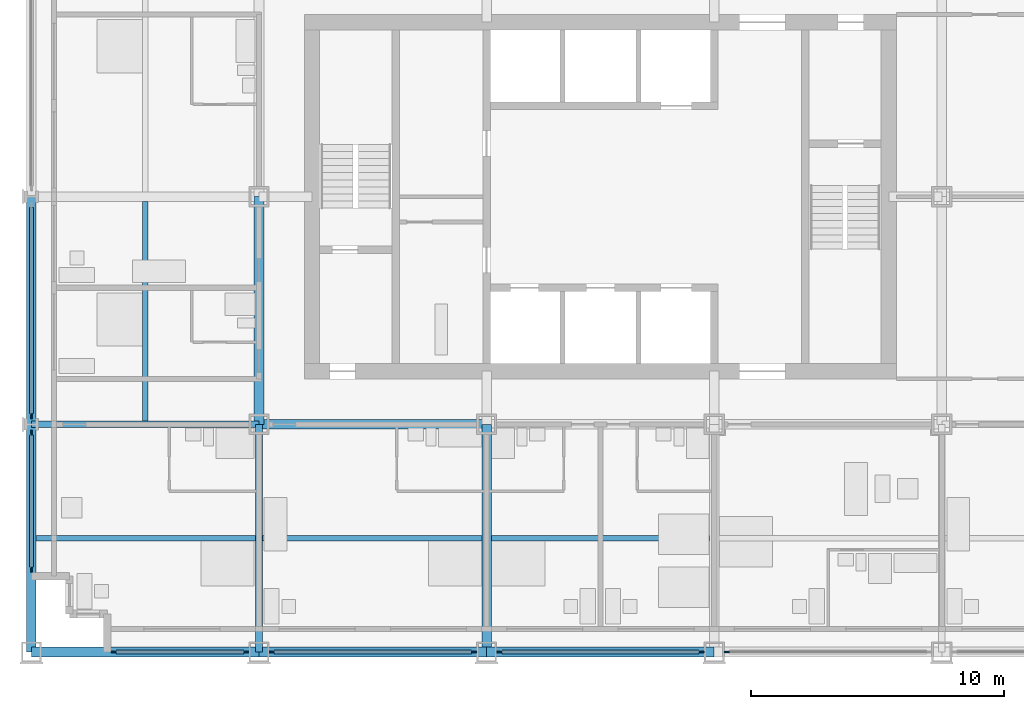
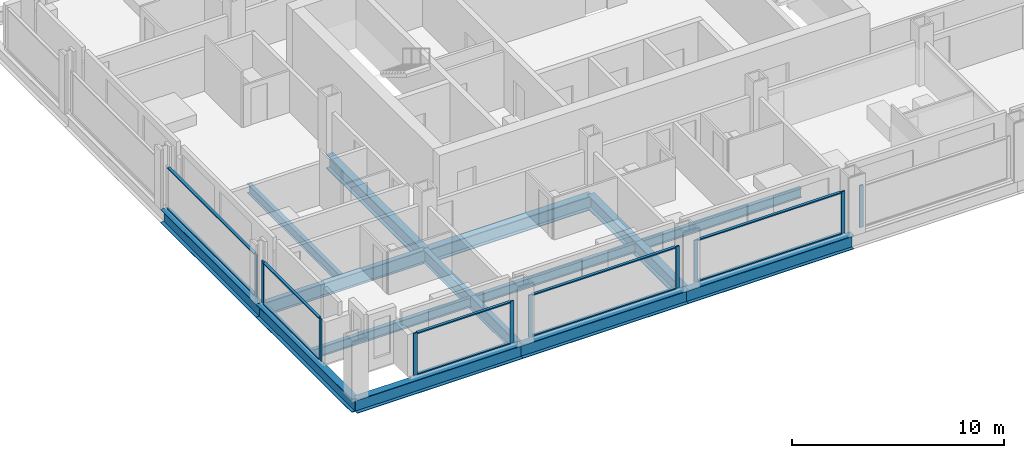
# One storey, part 2 of 18: 20 members, 14 beams, 6 elements without a shape of their own.
"""IFC4 building model written with IfcOpenShell, lengths in metres."""

from ifc_helpers import new_model, si_unit, direction, frame, origin, origin_2d, place, context, subcontext, project, spatial, rectangle, i_section, extrude, material, material_profile, profile_set, type_object, element, aggregate, save


model = new_model("IFC4")

# Units and contexts
model_context = context("Model", 3, precision=1e-05, world=origin(), true_north=direction((0.0, 1.0)))
body_context = subcontext(model_context, "Body", "Model", "MODEL_VIEW")
ifc_project = project(units=[si_unit("LENGTHUNIT", "METRE"), si_unit("AREAUNIT", "SQUARE_METRE"), si_unit("VOLUMEUNIT", "CUBIC_METRE"), si_unit("PLANEANGLEUNIT", "RADIAN"), si_unit("MASSUNIT", "GRAM", prefix="KILO")], contexts=[model_context])

# Site, building, storey
site_placement = place(None, origin())
site = spatial("IfcSite", under=ifc_project, at=site_placement, CompositionType="ELEMENT")
building_placement = place(site_placement, origin())
building = spatial("IfcBuilding", under=site, at=building_placement, Name="Loomwork Tower", CompositionType="ELEMENT")
storey_placement = place(building_placement, frame((0.0, 0.0, 68.800048828125)))
storey = spatial("IfcBuildingStorey", under=building, at=storey_placement, Name="L17", CompositionType="ELEMENT", Elevation=68.800048828125)

# Beams
ifc_material_1 = material(Name="Steel ASTM A992", Category="steel")
ifc_material_profile_1 = material_profile(ifc_material_1, i_section(OverallWidth=0.383544921875, OverallDepth=0.794921875, WebThickness=0.02099609375, FlangeThickness=0.0380859375, at=origin_2d()), Name="W30x235")
ifc_profile_set_1 = profile_set([ifc_material_profile_1], Name="Steel ASTM A992")
beam_type_1 = type_object("IfcBeamType", Name="CORE FLANK GIRDER W30x235", PredefinedType="BEAM", material=ifc_profile_set_1)
for number, where, z_axis, x_axis, name in (
    (1, (9.0, 9.0, -0.59765625), (1.0, 0.0, 0.0), (0.0, 1.0, 0.0), "Core Flank Girder E/3-E/4 L17"),
    (2, (9.0, 9.0, -0.59765625), (0.0, 1.0, 0.0), (-1.0, 0.0, 0.0), "Core Flank Girder E/3-F/3 L17"),
    (3, (18.0, 0.0, -0.59765625), (0.0, 1.0, 0.0), (-1.0, 0.0, 0.0), "Core Flank Girder D/4-E/4 L17"),
):
    element("IfcBeam", number, at=place(storey_placement, frame(where, z_axis=z_axis, x_axis=x_axis)), inside=storey, type_object=beam_type_1, Name=name, PredefinedType="BEAM", context=body_context, shape_type="SweptSolid", body=[
        extrude(i_section(OverallWidth=0.383544921875, OverallDepth=0.794921875, WebThickness=0.02099609375, FlangeThickness=0.0380859375, at=origin_2d()), origin(), (0.0, 0.0, 1.0), 9.0),
    ])
ifc_material_2 = material(Name="Steel ASTM A992", Category="steel")
ifc_material_profile_2 = material_profile(ifc_material_2, i_section(OverallWidth=0.2666015625, OverallDepth=0.761962890625, WebThickness=0.014404296875, FlangeThickness=0.021484375, at=origin_2d()), Name="W30x116")
ifc_profile_set_2 = profile_set([ifc_material_profile_2], Name="Steel ASTM A992")
beam_type_2 = type_object("IfcBeamType", Name="FLOOR GIRDER W30x116", PredefinedType="BEAM", material=ifc_profile_set_2)
for number, where, z_axis, x_axis, name in (
    (4, (0.0, 9.0, -0.5810546875), (1.0, 0.0, 0.0), (0.0, 1.0, 0.0), "Floor Girder E/2-E/3 L17"),
    (5, (9.0, 0.0, -0.5810546875), (0.0, 1.0, 0.0), (-1.0, 0.0, 0.0), "Floor Girder D/3-E/3 L17"),
):
    element("IfcBeam", number, at=place(storey_placement, frame(where, z_axis=z_axis, x_axis=x_axis)), inside=storey, type_object=beam_type_2, Name=name, PredefinedType="BEAM", context=body_context, shape_type="SweptSolid", body=[
        extrude(i_section(OverallWidth=0.2666015625, OverallDepth=0.761962890625, WebThickness=0.014404296875, FlangeThickness=0.021484375, at=origin_2d()), origin(), (0.0, 0.0, 1.0), 9.0),
    ])
ifc_material_3 = material(Name="Steel ASTM A992", Category="steel")
ifc_material_profile_3 = material_profile(ifc_material_3, i_section(OverallWidth=0.2109375, OverallDepth=0.53857421875, WebThickness=0.011474609375, FlangeThickness=0.018798828125, at=origin_2d()), Name="W21x73")
ifc_profile_set_3 = profile_set([ifc_material_profile_3], Name="Steel ASTM A992")
beam_type_3 = type_object("IfcBeamType", Name="FLOOR JOIST W21x73", PredefinedType="JOIST", material=ifc_profile_set_3)
beam_1_placement = place(storey_placement, frame((0.18994140625, 4.5, -0.46923828125), z_axis=(1.0, 0.0, 0.0), x_axis=(0.0, 1.0, 0.0)))
element("IfcBeam", 6, at=beam_1_placement, inside=storey, type_object=beam_type_3, Name="Floor Joist 0.000,4.500-9.000,4.500 L17", PredefinedType="JOIST", context=body_context, shape_type="SweptSolid", body=[
    extrude(i_section(OverallWidth=0.2109375, OverallDepth=0.53857421875, WebThickness=0.011474609375, FlangeThickness=0.018798828125, at=origin_2d()), origin(), (0.0, 0.0, 1.0), 8.677001953125),
])
for number, where, z_axis, x_axis, name in (
    (7, (4.5, 9.133056640625, -0.46923828125), (0.0, 1.0, 0.0), (-1.0, 0.0, 0.0), "Floor Joist 4.500,9.000-4.500,18.000 L17"),
    (8, (9.133056640625, 4.5, -0.46923828125), (1.0, 0.0, 0.0), (0.0, 1.0, 0.0), "Floor Joist 9.000,4.500-18.000,4.500 L17"),
):
    element("IfcBeam", number, at=place(storey_placement, frame(where, z_axis=z_axis, x_axis=x_axis)), inside=storey, type_object=beam_type_3, Name=name, PredefinedType="JOIST", context=body_context, shape_type="SweptSolid", body=[
        extrude(i_section(OverallWidth=0.2109375, OverallDepth=0.53857421875, WebThickness=0.011474609375, FlangeThickness=0.018798828125, at=origin_2d()), origin(), (0.0, 0.0, 1.0), 8.676025390625),
    ])
beam_2_placement = place(storey_placement, frame((18.19091796875, 4.5, -0.46923828125), z_axis=(1.0, 0.0, 0.0), x_axis=(0.0, 1.0, 0.0)))
element("IfcBeam", 9, at=beam_2_placement, inside=storey, type_object=beam_type_3, Name="Floor Joist 18.000,4.500-27.000,4.500 L17", PredefinedType="JOIST", context=body_context, shape_type="SweptSolid", body=[
    extrude(i_section(OverallWidth=0.2109375, OverallDepth=0.53857421875, WebThickness=0.011474609375, FlangeThickness=0.018798828125, at=origin_2d()), origin(), (0.0, 0.0, 1.0), 8.6181640625),
])

# Curtain wall, members
ifc_material_4 = material(Name="Aluminium curtain wall frame", Category="aluminium")
curtain_wall_type = type_object("IfcCurtainWallType", Name="Outer skin glazing hotel", PredefinedType="NOTDEFINED", material=ifc_material_4)
curtain_wall_1_placement = place(storey_placement, origin())
curtain_wall_1 = element("IfcCurtainWall", 10, at=curtain_wall_1_placement, inside=storey, type_object=curtain_wall_type, Name="Outer skin glazing hotel cw/S-0", PredefinedType="NOTDEFINED")
ifc_material_5 = material(Name="Aluminium curtain wall frame", Category="aluminium")
ifc_material_profile_4 = material_profile(ifc_material_5, rectangle(XDim=0.06494140625, YDim=0.199951171875, at=origin_2d()), Name="AL 65x200")
ifc_profile_set_4 = profile_set([ifc_material_profile_4], Name="Aluminium curtain wall frame")
member_type_1 = type_object("IfcMemberType", Name="Outer skin glazing hotel mullion", PredefinedType="MULLION", material=ifc_profile_set_4)
member_1_placement = place(storey_placement, frame((3.25, 0.0, 0.0), z_axis=(0.0, 0.0, 1.0), x_axis=(0.0, 1.0, 0.0)))
member_1 = element("IfcMember", 11, at=member_1_placement, type_object=member_type_1, Name="CW1 mullion 1", PredefinedType="MULLION", context=body_context, shape_type="SweptSolid", body=[
    extrude(rectangle(XDim=0.06494140625, YDim=0.199951171875, at=origin_2d()), origin(), (0.0, 0.0, 1.0), 2.420166015625),
])
member_2_placement = place(storey_placement, frame((8.5, 0.0, 0.0), z_axis=(0.0, 0.0, 1.0), x_axis=(0.0, 1.0, 0.0)))
member_2 = element("IfcMember", 12, at=member_2_placement, type_object=member_type_1, Name="CW1 mullion 2", PredefinedType="MULLION", context=body_context, shape_type="SweptSolid", body=[
    extrude(rectangle(XDim=0.06494140625, YDim=0.199951171875, at=origin_2d()), origin(), (0.0, 0.0, 1.0), 2.420166015625),
])

curtain_wall_2_placement = place(storey_placement, origin())
curtain_wall_2 = element("IfcCurtainWall", 13, at=curtain_wall_2_placement, inside=storey, type_object=curtain_wall_type, Name="Outer skin glazing hotel cw/S-9", PredefinedType="NOTDEFINED")
member_3_placement = place(storey_placement, frame((9.5, 0.0, 0.0), z_axis=(0.0, 0.0, 1.0), x_axis=(0.0, 1.0, 0.0)))
member_3 = element("IfcMember", 14, at=member_3_placement, type_object=member_type_1, Name="CW1 mullion 1", PredefinedType="MULLION", context=body_context, shape_type="SweptSolid", body=[
    extrude(rectangle(XDim=0.06494140625, YDim=0.199951171875, at=origin_2d()), origin(), (0.0, 0.0, 1.0), 2.420166015625),
])
member_4_placement = place(storey_placement, frame((17.5, 0.0, 0.0), z_axis=(0.0, 0.0, 1.0), x_axis=(0.0, 1.0, 0.0)))
member_4 = element("IfcMember", 15, at=member_4_placement, type_object=member_type_1, Name="CW1 mullion 2", PredefinedType="MULLION", context=body_context, shape_type="SweptSolid", body=[
    extrude(rectangle(XDim=0.06494140625, YDim=0.199951171875, at=origin_2d()), origin(), (0.0, 0.0, 1.0), 2.420166015625),
])

curtain_wall_3_placement = place(storey_placement, origin())
curtain_wall_3 = element("IfcCurtainWall", 16, at=curtain_wall_3_placement, inside=storey, type_object=curtain_wall_type, Name="Outer skin glazing hotel cw/S-18", PredefinedType="NOTDEFINED")
member_5_placement = place(storey_placement, frame((18.5, 0.0, 0.0), z_axis=(0.0, 0.0, 1.0), x_axis=(0.0, 1.0, 0.0)))
member_5 = element("IfcMember", 17, at=member_5_placement, type_object=member_type_1, Name="CW1 mullion 1", PredefinedType="MULLION", context=body_context, shape_type="SweptSolid", body=[
    extrude(rectangle(XDim=0.06494140625, YDim=0.199951171875, at=origin_2d()), origin(), (0.0, 0.0, 1.0), 2.420166015625),
])
member_6_placement = place(storey_placement, frame((26.5, 0.0, 0.0), z_axis=(0.0, 0.0, 1.0), x_axis=(0.0, 1.0, 0.0)))
member_6 = element("IfcMember", 18, at=member_6_placement, type_object=member_type_1, Name="CW1 mullion 2", PredefinedType="MULLION", context=body_context, shape_type="SweptSolid", body=[
    extrude(rectangle(XDim=0.06494140625, YDim=0.199951171875, at=origin_2d()), origin(), (0.0, 0.0, 1.0), 2.420166015625),
])

# Curtain wall, member
curtain_wall_4_placement = place(storey_placement, origin())
curtain_wall_4 = element("IfcCurtainWall", 19, at=curtain_wall_4_placement, inside=storey, type_object=curtain_wall_type, Name="Outer skin glazing hotel cw/S-27", PredefinedType="NOTDEFINED")
member_7_placement = place(storey_placement, frame((27.5, 0.0, 0.0), z_axis=(0.0, 0.0, 1.0), x_axis=(0.0, 1.0, 0.0)))
member_7 = element("IfcMember", 20, at=member_7_placement, type_object=member_type_1, Name="CW1 mullion 1", PredefinedType="MULLION", context=body_context, shape_type="SweptSolid", body=[
    extrude(rectangle(XDim=0.06494140625, YDim=0.199951171875, at=origin_2d()), origin(), (0.0, 0.0, 1.0), 2.420166015625),
])
aggregate(curtain_wall_4, [member_7])

# Curtain wall, members
curtain_wall_5_placement = place(storey_placement, origin())
curtain_wall_5 = element("IfcCurtainWall", 21, at=curtain_wall_5_placement, inside=storey, type_object=curtain_wall_type, Name="Outer skin glazing hotel cw/W-0", PredefinedType="NOTDEFINED")
member_8_placement = place(storey_placement, frame((0.0, 8.672607421875, 0.0), z_axis=(0.0, 0.0, 1.0), x_axis=(1.0, 0.0, 0.0)))
member_8 = element("IfcMember", 22, at=member_8_placement, type_object=member_type_1, Name="CW1 mullion 1", PredefinedType="MULLION", context=body_context, shape_type="SweptSolid", body=[
    extrude(rectangle(XDim=0.06494140625, YDim=0.199951171875, at=origin_2d()), origin(), (0.0, 0.0, 1.0), 2.420166015625),
])
member_9_placement = place(storey_placement, frame((0.0, 3.25, 0.0), z_axis=(0.0, 0.0, 1.0), x_axis=(1.0, 0.0, 0.0)))
member_9 = element("IfcMember", 23, at=member_9_placement, type_object=member_type_1, Name="CW1 mullion 2", PredefinedType="MULLION", context=body_context, shape_type="SweptSolid", body=[
    extrude(rectangle(XDim=0.06494140625, YDim=0.199951171875, at=origin_2d()), origin(), (0.0, 0.0, 1.0), 2.420166015625),
])

# Curtain wall, member
curtain_wall_6_placement = place(storey_placement, origin())
curtain_wall_6 = element("IfcCurtainWall", 24, at=curtain_wall_6_placement, inside=storey, type_object=curtain_wall_type, Name="Outer skin glazing hotel cw/W-9", PredefinedType="NOTDEFINED")
member_10_placement = place(storey_placement, frame((0.0, 9.327392578125, 0.0), z_axis=(0.0, 0.0, 1.0), x_axis=(1.0, 0.0, 0.0)))
member_10 = element("IfcMember", 25, at=member_10_placement, type_object=member_type_1, Name="CW1 mullion 2", PredefinedType="MULLION", context=body_context, shape_type="SweptSolid", body=[
    extrude(rectangle(XDim=0.06494140625, YDim=0.199951171875, at=origin_2d()), origin(), (0.0, 0.0, 1.0), 2.420166015625),
])

# Member
ifc_material_6 = material(Name="Aluminium curtain wall frame", Category="aluminium")
ifc_material_profile_5 = material_profile(ifc_material_6, rectangle(XDim=0.14990234375, YDim=0.06494140625, at=origin_2d()), Name="AL 65x150")
ifc_profile_set_5 = profile_set([ifc_material_profile_5], Name="Aluminium curtain wall frame")
member_type_2 = type_object("IfcMemberType", Name="Outer skin glazing hotel transom", PredefinedType="USERDEFINED", material=ifc_profile_set_5)
member_11_placement = place(storey_placement, frame((3.35009765625, 0.0, 0.032470703125), z_axis=(1.0, 0.0, 0.0), x_axis=(0.0, 1.0, 0.0)))
member_11 = element("IfcMember", 26, at=member_11_placement, type_object=member_type_2, Name="CW1 transom 1.1", ObjectType="TRANSOM", PredefinedType="USERDEFINED", context=body_context, shape_type="SweptSolid", body=[
    extrude(rectangle(XDim=0.14990234375, YDim=0.06494140625, at=origin_2d()), origin(), (0.0, 0.0, 1.0), 5.0498046875),
])

member_12_placement = place(storey_placement, frame((3.35009765625, 0.0, 2.3876953125), z_axis=(1.0, 0.0, 0.0), x_axis=(0.0, 1.0, 0.0)))
member_12 = element("IfcMember", 27, at=member_12_placement, type_object=member_type_2, Name="CW1 transom 1.2", ObjectType="TRANSOM", PredefinedType="USERDEFINED", context=body_context, shape_type="SweptSolid", body=[
    extrude(rectangle(XDim=0.14990234375, YDim=0.06494140625, at=origin_2d()), origin(), (0.0, 0.0, 1.0), 5.0498046875),
])

aggregate(curtain_wall_1, [member_1, member_2, member_11, member_12])

member_13_placement = place(storey_placement, frame((9.60009765625, 0.0, 0.032470703125), z_axis=(1.0, 0.0, 0.0), x_axis=(0.0, 1.0, 0.0)))
member_13 = element("IfcMember", 28, at=member_13_placement, type_object=member_type_2, Name="CW1 transom 1.1", ObjectType="TRANSOM", PredefinedType="USERDEFINED", context=body_context, shape_type="SweptSolid", body=[
    extrude(rectangle(XDim=0.14990234375, YDim=0.06494140625, at=origin_2d()), origin(), (0.0, 0.0, 1.0), 7.7998046875),
])

member_14_placement = place(storey_placement, frame((9.60009765625, 0.0, 2.3876953125), z_axis=(1.0, 0.0, 0.0), x_axis=(0.0, 1.0, 0.0)))
member_14 = element("IfcMember", 29, at=member_14_placement, type_object=member_type_2, Name="CW1 transom 1.2", ObjectType="TRANSOM", PredefinedType="USERDEFINED", context=body_context, shape_type="SweptSolid", body=[
    extrude(rectangle(XDim=0.14990234375, YDim=0.06494140625, at=origin_2d()), origin(), (0.0, 0.0, 1.0), 7.7998046875),
])

aggregate(curtain_wall_2, [member_3, member_4, member_13, member_14])

member_15_placement = place(storey_placement, frame((18.60009765625, 0.0, 0.032470703125), z_axis=(1.0, 0.0, 0.0), x_axis=(0.0, 1.0, 0.0)))
member_15 = element("IfcMember", 30, at=member_15_placement, type_object=member_type_2, Name="CW1 transom 1.1", ObjectType="TRANSOM", PredefinedType="USERDEFINED", context=body_context, shape_type="SweptSolid", body=[
    extrude(rectangle(XDim=0.14990234375, YDim=0.06494140625, at=origin_2d()), origin(), (0.0, 0.0, 1.0), 7.7998046875),
])

member_16_placement = place(storey_placement, frame((18.60009765625, 0.0, 2.3876953125), z_axis=(1.0, 0.0, 0.0), x_axis=(0.0, 1.0, 0.0)))
member_16 = element("IfcMember", 31, at=member_16_placement, type_object=member_type_2, Name="CW1 transom 1.2", ObjectType="TRANSOM", PredefinedType="USERDEFINED", context=body_context, shape_type="SweptSolid", body=[
    extrude(rectangle(XDim=0.14990234375, YDim=0.06494140625, at=origin_2d()), origin(), (0.0, 0.0, 1.0), 7.7998046875),
])

aggregate(curtain_wall_3, [member_5, member_6, member_15, member_16])

member_17_placement = place(storey_placement, frame((0.0, 8.57275390625, 0.032470703125), z_axis=(0.0, -1.0, 0.0), x_axis=(1.0, 0.0, 0.0)))
member_17 = element("IfcMember", 32, at=member_17_placement, type_object=member_type_2, Name="CW1 transom 1.1", ObjectType="TRANSOM", PredefinedType="USERDEFINED", context=body_context, shape_type="SweptSolid", body=[
    extrude(rectangle(XDim=0.14990234375, YDim=0.06494140625, at=origin_2d()), origin(), (0.0, 0.0, 1.0), 5.22265625),
])

member_18_placement = place(storey_placement, frame((0.0, 8.57275390625, 2.3876953125), z_axis=(0.0, -1.0, 0.0), x_axis=(1.0, 0.0, 0.0)))
member_18 = element("IfcMember", 33, at=member_18_placement, type_object=member_type_2, Name="CW1 transom 1.2", ObjectType="TRANSOM", PredefinedType="USERDEFINED", context=body_context, shape_type="SweptSolid", body=[
    extrude(rectangle(XDim=0.14990234375, YDim=0.06494140625, at=origin_2d()), origin(), (0.0, 0.0, 1.0), 5.22265625),
])

aggregate(curtain_wall_5, [member_8, member_9, member_17, member_18])

member_19_placement = place(storey_placement, frame((0.0, 17.57275390625, 0.032470703125), z_axis=(0.0, -1.0, 0.0), x_axis=(1.0, 0.0, 0.0)))
member_19 = element("IfcMember", 34, at=member_19_placement, type_object=member_type_2, Name="CW1 transom 1.1", ObjectType="TRANSOM", PredefinedType="USERDEFINED", context=body_context, shape_type="SweptSolid", body=[
    extrude(rectangle(XDim=0.14990234375, YDim=0.06494140625, at=origin_2d()), origin(), (0.0, 0.0, 1.0), 8.1455078125),
])

member_20_placement = place(storey_placement, frame((0.0, 17.57275390625, 2.3876953125), z_axis=(0.0, -1.0, 0.0), x_axis=(1.0, 0.0, 0.0)))
member_20 = element("IfcMember", 35, at=member_20_placement, type_object=member_type_2, Name="CW1 transom 1.2", ObjectType="TRANSOM", PredefinedType="USERDEFINED", context=body_context, shape_type="SweptSolid", body=[
    extrude(rectangle(XDim=0.14990234375, YDim=0.06494140625, at=origin_2d()), origin(), (0.0, 0.0, 1.0), 8.1455078125),
])

aggregate(curtain_wall_6, [member_10, member_19, member_20])

# Beams
ifc_material_7 = material(Name="Steel ASTM A992", Category="steel")
ifc_material_profile_6 = material_profile(ifc_material_7, i_section(OverallWidth=0.381103515625, OverallDepth=0.77978515625, WebThickness=0.01806640625, FlangeThickness=0.0302734375, at=origin_2d()), Name="W30x191")
ifc_profile_set_6 = profile_set([ifc_material_profile_6], Name="Steel ASTM A992")
beam_type_4 = type_object("IfcBeamType", Name="SPANDREL GIRDER W30x191", PredefinedType="SPANDREL", material=ifc_profile_set_6)
for number, where, z_axis, x_axis, name in (
    (36, (0.0, 0.0, -0.58984375), (1.0, 0.0, 0.0), (0.0, 1.0, 0.0), "Spandrel Girder D/2-D/3 L17"),
    (37, (9.0, 0.0, -0.58984375), (1.0, 0.0, 0.0), (0.0, 1.0, 0.0), "Spandrel Girder D/3-D/4 L17"),
    (38, (18.0, 0.0, -0.58984375), (1.0, 0.0, 0.0), (0.0, 1.0, 0.0), "Spandrel Girder D/4-D/5 L17"),
    (39, (0.0, 0.0, -0.58984375), (0.0, 1.0, 0.0), (-1.0, 0.0, 0.0), "Spandrel Girder D/2-E/2 L17"),
    (40, (0.0, 9.0, -0.58984375), (0.0, 1.0, 0.0), (-1.0, 0.0, 0.0), "Spandrel Girder E/2-F/2 L17"),
):
    element("IfcBeam", number, at=place(storey_placement, frame(where, z_axis=z_axis, x_axis=x_axis)), inside=storey, type_object=beam_type_4, Name=name, PredefinedType="SPANDREL", context=body_context, shape_type="SweptSolid", body=[
        extrude(i_section(OverallWidth=0.381103515625, OverallDepth=0.77978515625, WebThickness=0.01806640625, FlangeThickness=0.0302734375, at=origin_2d()), origin(), (0.0, 0.0, 1.0), 9.0),
    ])

save(model, "model.ifc")
